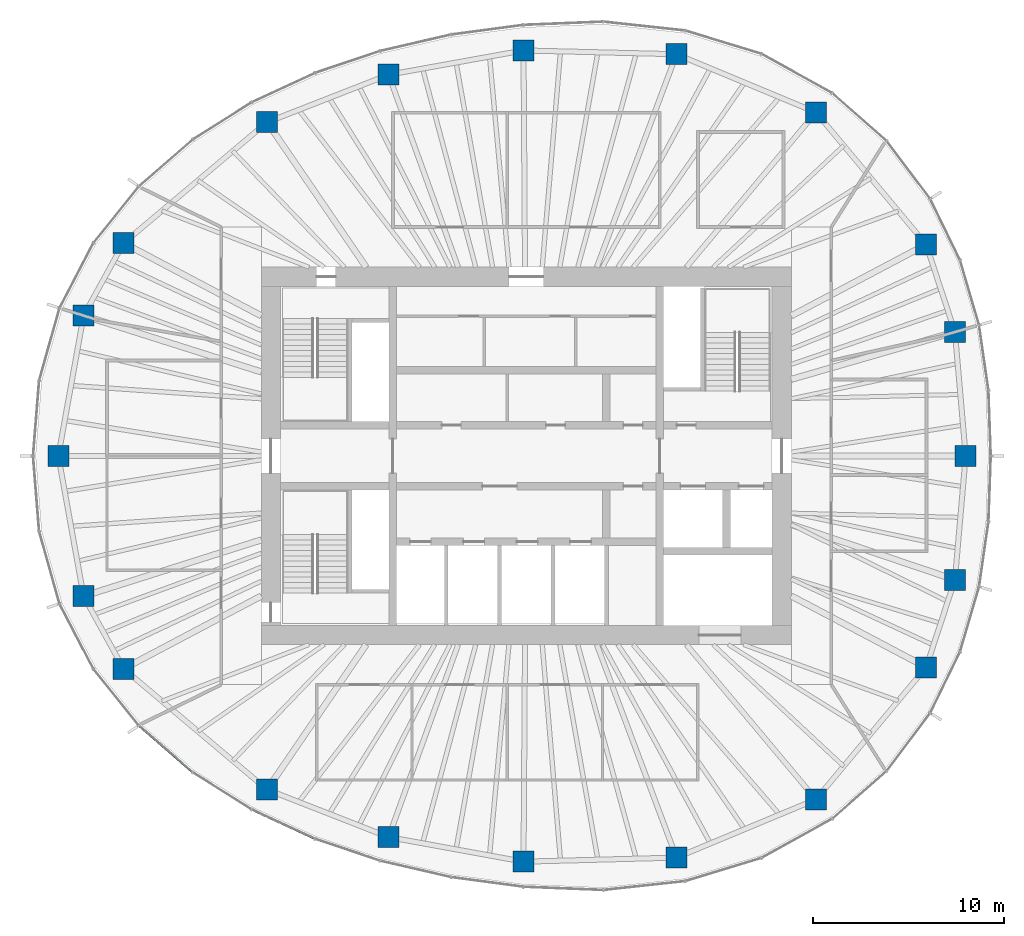
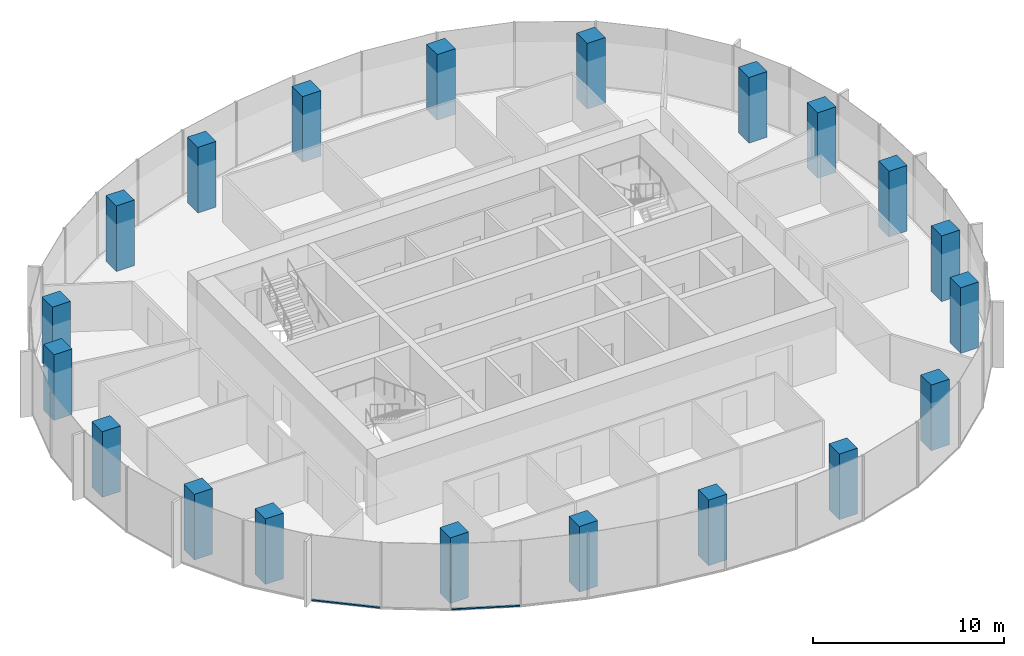
# One storey, part 1 of 11: 20 columns, 2 members, 2 elements without a shape of their own.
"""IFC4 building model written with IfcOpenShell, lengths in metres."""

import ifcopenshell
import ifcopenshell.guid

model = None  # the IFC model being written
_history = None  # IfcOwnerHistory: only IFC2X3 demands one
_inside = {}  # id of a spatial element -> (the spatial element, [elements in it])
_under = {}  # id of a project, library or spatial element -> (it, [spatial elements below it])
_declared = {}  # id of a project -> (the project, [libraries it declares])
_typed = {}  # id of a type object -> (the type object, [elements of that type])
_made_of = {}  # id of a material, layer set ... -> (it, [elements and type objects made of it])


def new_model(schema):
    """Start an empty IFC model of exactly this schema.

    Asked for "IFC4X3", IfcOpenShell would pick the latest addendum, in which some entities
    have other attributes; the version numbers below select the first issue.
    IFC2X3 requires an IfcOwnerHistory on every rooted entity: one is made here for all.
    """
    global model, _history
    if schema == "IFC4X3":
        model = ifcopenshell.file(schema_version=(4, 3, 0, 0))
    else:
        model = ifcopenshell.file(schema=schema)
    _inside.clear()
    _under.clear()
    _declared.clear()
    _typed.clear()
    _made_of.clear()
    _history = None
    if model.schema == "IFC2X3":
        org = make("IfcOrganization", Name="unknown")
        user = make(
            "IfcPersonAndOrganization",
            ThePerson=make("IfcPerson", FamilyName="unknown"),
            TheOrganization=org,
        )
        app = make(
            "IfcApplication",
            ApplicationDeveloper=org,
            Version="unknown",
            ApplicationFullName="unknown",
            ApplicationIdentifier="unknown",
        )
        _history = make(
            "IfcOwnerHistory",
            OwningUser=user,
            OwningApplication=app,
            ChangeAction="ADDED",
            CreationDate=0,
        )
    return model


def make(cls, **values):
    """One entity of the class cls with the attributes given. An attribute that is None is left unset."""
    return model.create_entity(
        cls, **{name: value for name, value in values.items() if value is not None}
    )


def rooted(cls, **values):
    """An entity with a GlobalId (a new one), such as an element, a storey or a relation."""
    return make(cls, GlobalId=ifcopenshell.guid.new(), OwnerHistory=_history, **values)


def si_unit(unit_type, name, prefix=None):
    """IfcSIUnit, for example si_unit("LENGTHUNIT", "METRE", prefix="MILLI")."""
    return make("IfcSIUnit", UnitType=unit_type, Prefix=prefix, Name=name)


def assignment(units):
    """IfcUnitAssignment: the units of a project."""
    return None if units is None else make("IfcUnitAssignment", Units=units)


def point(xyz):
    """IfcCartesianPoint."""
    return None if xyz is None else make("IfcCartesianPoint", Coordinates=xyz)


def direction(xyz):
    """IfcDirection."""
    return None if xyz is None else make("IfcDirection", DirectionRatios=xyz)


def frame(location, z_axis=None, x_axis=None):
    """IfcAxis2Placement3D, a coordinate frame: its origin and axes. An axis left out is left unset."""
    return make(
        "IfcAxis2Placement3D",
        Location=point(location),
        Axis=direction(z_axis),
        RefDirection=direction(x_axis),
    )


def frame_2d(location, x_axis=None):
    """IfcAxis2Placement2D, a coordinate frame in the plane: its origin and x axis."""
    return make(
        "IfcAxis2Placement2D", Location=point(location), RefDirection=direction(x_axis)
    )


def origin():
    """The frame at (0, 0, 0) with its axes left unset."""
    return frame((0.0, 0.0, 0.0))


def origin_2d():
    """The frame at (0, 0) in the plane with its x axis left unset."""
    return frame_2d((0.0, 0.0))


def place(relative_to, where):
    """IfcLocalPlacement: puts the frame where relative to a parent placement (None: the world)."""
    return make(
        "IfcLocalPlacement", PlacementRelTo=relative_to, RelativePlacement=where
    )


def context(
    kind, dimensions, precision=None, world=None, true_north=None, identifier=None
):
    """IfcGeometricRepresentationContext, for example the 3D "Model" context."""
    return make(
        "IfcGeometricRepresentationContext",
        ContextIdentifier=identifier,
        ContextType=kind,
        CoordinateSpaceDimension=dimensions,
        Precision=precision,
        WorldCoordinateSystem=world,
        TrueNorth=true_north,
    )


def subcontext(parent, identifier, kind, view, scale=None):
    """IfcGeometricRepresentationSubContext, for example "Body" below "Model"."""
    return make(
        "IfcGeometricRepresentationSubContext",
        ContextIdentifier=identifier,
        ContextType=kind,
        ParentContext=parent,
        TargetScale=scale,
        TargetView=view,
    )


def project(units=None, contexts=None):
    """IfcProject with its units and contexts."""
    return rooted(
        "IfcProject",
        Name="project",
        RepresentationContexts=contexts,
        UnitsInContext=assignment(units),
    )


def spatial(cls, under=None, at=None, **own):
    """A site, building, storey or space (cls), placed at a placement, below another one or the project."""
    s = rooted(cls, ObjectPlacement=at, **own)
    if under is not None:
        _under.setdefault(under.id(), (under, []))[1].append(s)
    return s


def profile(cls, at=None, kind="AREA", **sizes):
    """A parametric profile (cls). Its sizes go by their IFC names, for example OverallWidth=200.0."""
    return make(cls, ProfileType=kind, Position=at, **sizes)


def rectangle(**sizes):
    """IfcRectangleProfileDef."""
    return profile("IfcRectangleProfileDef", **sizes)


def extrude(swept, where, along, depth):
    """IfcExtrudedAreaSolid: the profile swept, set in the frame where, extruded along a direction by depth."""
    return make(
        "IfcExtrudedAreaSolid",
        SweptArea=swept,
        Position=where,
        ExtrudedDirection=direction(along),
        Depth=depth,
    )


def shape(context_of_items, identifier, shape_type, items):
    """IfcShapeRepresentation: the items that make up one representation, for example the "Body"."""
    return make(
        "IfcShapeRepresentation",
        ContextOfItems=context_of_items,
        RepresentationIdentifier=identifier,
        RepresentationType=shape_type,
        Items=items,
    )


def material(Name=None, Category=None):
    """IfcMaterial."""
    return make("IfcMaterial", Name=Name, Category=Category)


def material_profile(
    of_material, cross_section, Name=None, Category=None, Priority=None
):
    """IfcMaterialProfile: a cross section and its material."""
    return make(
        "IfcMaterialProfile",
        Name=Name,
        Material=of_material,
        Profile=cross_section,
        Priority=Priority,
        Category=Category,
    )


def profile_set(profiles, Name=None, composite=None):
    """IfcMaterialProfileSet."""
    return make(
        "IfcMaterialProfileSet",
        Name=Name,
        MaterialProfiles=profiles,
        CompositeProfile=composite,
    )


def made_of(thing, what):
    """Note that an element or type object is made of a material, layer set ...; save() writes the relation."""
    if what is not None:
        _made_of.setdefault(what.id(), (what, []))[1].append(thing)
    return thing


def type_object(cls, material=None, **own):
    """A type object (cls), such as IfcWallType, which elements share."""
    return made_of(rooted(cls, **own), material)


def element(
    cls,
    number,
    at=None,
    inside=None,
    cuts=None,
    type_object=None,
    material=None,
    context=None,
    identifier="Body",
    shape_type=None,
    held_by="IfcProductDefinitionShape",
    body=None,
    shapes=None,
    **own,
):
    """One element of the class cls, such as IfcWall. Its Tag is "e" and its number.

    at: its placement. inside: the storey or other place that contains it. cuts: it is an
    opening in that element (IfcRelVoidsElement). A single representation is given by context,
    identifier, shape_type and body (its items); several are given by shapes. held_by: the class
    of the entity that holds the representations. save() writes the other relations.
    """
    e = rooted(cls, Tag="e%d" % number, ObjectPlacement=at, **own)
    if body is not None:
        shapes = [shape(context, identifier, shape_type, body)]
    if shapes is not None:
        e.Representation = make(held_by, Representations=shapes)
    if inside is not None:
        _inside.setdefault(inside.id(), (inside, []))[1].append(e)
    if cuts is not None:
        rooted(
            "IfcRelVoidsElement", RelatingBuildingElement=cuts, RelatedOpeningElement=e
        )
    if type_object is not None:
        _typed.setdefault(type_object.id(), (type_object, []))[1].append(e)
    return made_of(e, material)


def aggregate(whole, parts):
    """IfcRelAggregates: a whole, such as a stair, and the parts it consists of."""
    return rooted("IfcRelAggregates", RelatingObject=whole, RelatedObjects=parts)


def save(model, path):
    """Write the relations noted so far, then the file.

    IfcRelAggregates (storeys below a building ...), IfcRelContainedInSpatialStructure (elements
    in a storey), IfcRelDefinesByType, IfcRelAssociatesMaterial and IfcRelDeclares: one each for
    every whole, place, type object, material and project.
    """
    for whole, parts in _under.values():
        aggregate(whole, parts)
    for where, things in _inside.values():
        rooted(
            "IfcRelContainedInSpatialStructure",
            RelatedElements=things,
            RelatingStructure=where,
        )
    for kind, things in _typed.values():
        rooted("IfcRelDefinesByType", RelatedObjects=things, RelatingType=kind)
    for what, things in _made_of.values():
        rooted("IfcRelAssociatesMaterial", RelatedObjects=things, RelatingMaterial=what)
    for by, libraries in _declared.values():
        rooted("IfcRelDeclares", RelatingContext=by, RelatedDefinitions=libraries)
    model.write(path)


model = new_model("IFC4")

# Units and contexts
model_context = context("Model", 3, precision=1e-05, world=origin(), true_north=direction((0.0, 1.0)))
body_context = subcontext(model_context, "Body", "Model", "MODEL_VIEW")
ifc_project = project(units=[si_unit("LENGTHUNIT", "METRE"), si_unit("AREAUNIT", "SQUARE_METRE"), si_unit("VOLUMEUNIT", "CUBIC_METRE"), si_unit("PLANEANGLEUNIT", "RADIAN"), si_unit("MASSUNIT", "GRAM", prefix="KILO")], contexts=[model_context])

# Site, building, storey
site_placement = place(None, origin())
site = spatial("IfcSite", under=ifc_project, at=site_placement, CompositionType="ELEMENT")
building_placement = place(site_placement, origin())
building = spatial("IfcBuilding", under=site, at=building_placement, Name="Ghaith Harvest Tower", CompositionType="ELEMENT")
storey_placement = place(building_placement, frame((0.0, 0.0, 288.0)))
storey = spatial("IfcBuildingStorey", under=building, at=storey_placement, Name="L64", CompositionType="ELEMENT", Elevation=288.0)

# Columns
ifc_material_1 = material(Name="Concrete C50/60", Category="concrete")
ifc_material_profile_1 = material_profile(ifc_material_1, rectangle(XDim=1.10009765625, YDim=1.10009765625, at=origin_2d()), Name="RC1100X1100")
ifc_profile_set_1 = profile_set([ifc_material_profile_1], Name="Concrete C50/60")
column_type = type_object("IfcColumnType", Name="TC7 RC1100X1100", PredefinedType="COLUMN", material=ifc_profile_set_1)
for number, where, z_axis, x_axis, name in (
    (1, (23.050048828125, 0.0, 0.0), (0.0, 0.0, 1.0), (1.0, 0.0, 0.0), "Perimeter column C01"),
    (2, (22.485107421875, 6.4990234375, 0.0), (0.0, 0.0, 1.0), (1.0, 0.0, 0.0), "Perimeter column C02"),
    (3, (20.97705078125, 11.087890625, 0.0), (0.0, 0.0, 1.0), (1.0, 0.0, 0.0), "Perimeter column C03"),
    (4, (15.197998046875, 18.02294921875, 0.0), (0.0, 0.0, 1.0), (1.0, 0.0, 0.0), "Perimeter column C04"),
    (5, (7.8779296875, 21.072021484375, 0.0), (0.0, 0.0, 1.0), (1.0, 0.0, 0.0), "Perimeter column C05"),
    (6, (-0.14599609375, 21.27099609375, 0.0), (0.0, 0.0, 1.0), (1.0, 0.0, 0.0), "Perimeter column C06"),
    (7, (-7.221923828125, 19.9970703125, 0.0), (0.0, 0.0, 1.0), (1.0, 0.0, 0.0), "Perimeter column C07"),
    (8, (-13.594970703125, 17.5048828125, 0.0), (0.0, 0.0, 1.0), (1.0, 0.0, 0.0), "Perimeter column C08"),
    (9, (-21.125, 11.166015625, 0.0), (0.0, 0.0, 1.0), (1.0, 0.0, 0.0), "Perimeter column C09"),
    (10, (-23.22412109375, 7.360107421875, 0.0), (0.0, 0.0, 1.0), (1.0, 0.0, 0.0), "Perimeter column C10"),
    (11, (-24.550048828125, 0.0, 0.0), (0.0, 0.0, 1.0), (1.0, 0.0, 0.0), "Perimeter column C11"),
    (12, (-23.22412109375, -7.360107421875, 0.0), (0.0, 0.0, 1.0), (1.0, 0.0, 0.0), "Perimeter column C12"),
    (13, (-21.125, -11.166015625, 0.0), (0.0, 0.0, 1.0), (1.0, 0.0, 0.0), "Perimeter column C13"),
    (14, (-13.594970703125, -17.5048828125, 0.0), (0.0, 0.0, 1.0), (1.0, 0.0, 0.0), "Perimeter column C14"),
    (15, (-7.221923828125, -19.9970703125, 0.0), (0.0, 0.0, 1.0), (1.0, 0.0, 0.0), "Perimeter column C15"),
    (16, (-0.14599609375, -21.285888671875, 0.0), (0.0, 0.0, 1.0), (1.0, 0.0, 0.0), "Perimeter column C16"),
    (17, (7.8779296875, -21.072021484375, 0.0), (0.0, 0.0, 1.0), (1.0, 0.0, 0.0), "Perimeter column C17"),
    (18, (15.197998046875, -18.02294921875, 0.0), (0.0, 0.0, 1.0), (1.0, 0.0, 0.0), "Perimeter column C18"),
    (19, (20.97705078125, -11.087890625, 0.0), (0.0, 0.0, 1.0), (1.0, 0.0, 0.0), "Perimeter column C19"),
    (20, (22.485107421875, -6.4990234375, 0.0), (0.0, 0.0, 1.0), (1.0, 0.0, 0.0), "Perimeter column C20"),
):
    element("IfcColumn", number, at=place(storey_placement, frame(where, z_axis=z_axis, x_axis=x_axis)), inside=storey, type_object=column_type, Name=name, PredefinedType="COLUMN", context=body_context, shape_type="SweptSolid", body=[
        extrude(rectangle(XDim=1.10009765625, YDim=1.10009765625, at=origin_2d()), origin(), (0.0, 0.0, 1.0), 4.199951171875),
    ])

# Curtain wall, member
ifc_material_2 = material(Name="Black anodised aluminium and fritted glass", Category="aluminium")
curtain_wall_type = type_object("IfcCurtainWallType", Name="CW-T CURTAIN WALL", PredefinedType="NOTDEFINED", material=ifc_material_2)
curtain_wall_1_placement = place(storey_placement, origin())
curtain_wall_1 = element("IfcCurtainWall", 21, at=curtain_wall_1_placement, inside=storey, type_object=curtain_wall_type, Name="Curtain wall CW-T bay 13 L64", PredefinedType="NOTDEFINED")
ifc_material_3 = material(Name="Aluminium, black anodised", Category="aluminium")
ifc_material_profile_2 = material_profile(ifc_material_3, rectangle(XDim=0.1201171875, YDim=0.080078125, at=origin_2d()), Name="CW-T TRANSOM 120x80")
ifc_profile_set_2 = profile_set([ifc_material_profile_2], Name="Aluminium, black anodised")
member_type = type_object("IfcMemberType", Name="CW-T TRANSOM 120x80", PredefinedType="USERDEFINED", material=ifc_profile_set_2)
member_1_placement = place(storey_placement, frame((-20.294189453125, -14.168212890625, 0.0400390625), z_axis=(0.754851889287, -0.65589528527, 0.0), x_axis=(0.65589528527, 0.754851889287, 0.0)))
member_1 = element("IfcMember", 22, at=member_1_placement, type_object=member_type, Name="CW-T transom 1 bay 13 L64", ObjectType="TRANSOM", PredefinedType="USERDEFINED", context=body_context, shape_type="SweptSolid", body=[
    extrude(rectangle(XDim=0.1201171875, YDim=0.080078125, at=origin_2d()), origin(), (0.0, 0.0, 1.0), 3.668701171875),
])
aggregate(curtain_wall_1, [member_1])

curtain_wall_2_placement = place(storey_placement, origin())
curtain_wall_2 = element("IfcCurtainWall", 23, at=curtain_wall_2_placement, inside=storey, type_object=curtain_wall_type, Name="Curtain wall CW-T bay 14 L64", PredefinedType="NOTDEFINED")
member_2_placement = place(storey_placement, frame((-14.36865234375, -18.564697265625, 0.0400390625), z_axis=(0.907472177056, -0.420112184862, 0.0), x_axis=(0.420112184862, 0.907472177056, 0.0)))
member_2 = element("IfcMember", 24, at=member_2_placement, type_object=member_type, Name="CW-T transom 1 bay 14 L64", ObjectType="TRANSOM", PredefinedType="USERDEFINED", context=body_context, shape_type="SweptSolid", body=[
    extrude(rectangle(XDim=0.1201171875, YDim=0.080078125, at=origin_2d()), origin(), (0.0, 0.0, 1.0), 3.597900390625),
])
aggregate(curtain_wall_2, [member_2])

save(model, "model.ifc")
